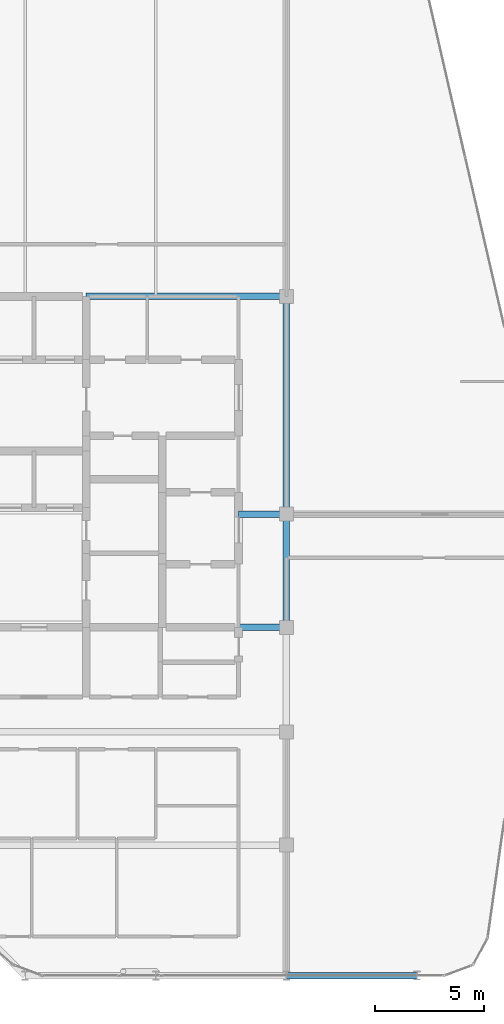
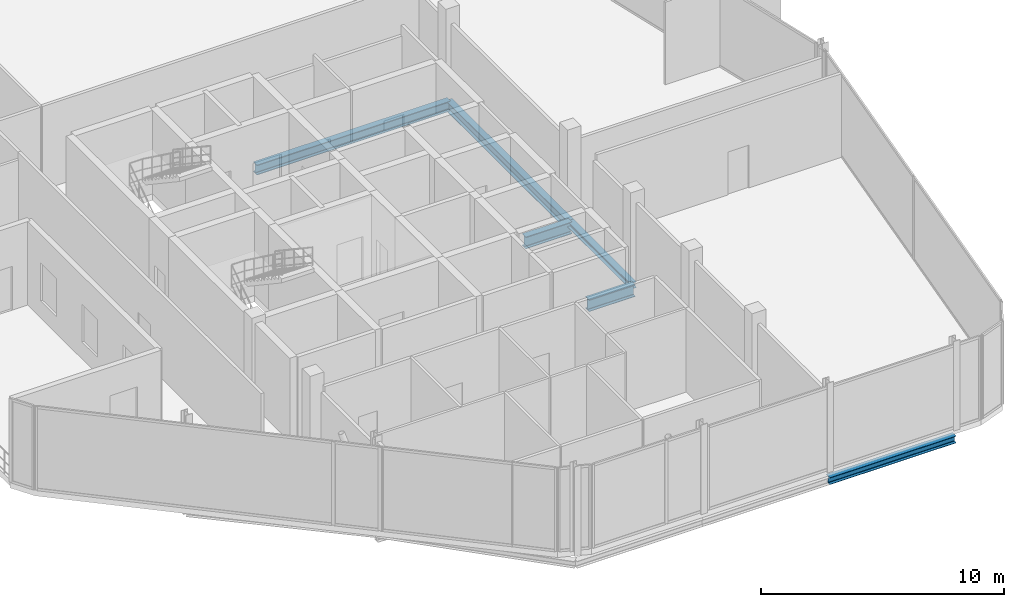
# One storey, part 10 of 24: 6 beams.
"""IFC4 building model written with IfcOpenShell, lengths in metres."""

from ifc_helpers import new_model, si_unit, direction, frame, origin, origin_2d, place, context, subcontext, project, spatial, i_section, extrude, material, material_profile, profile_set, type_object, element, save


model = new_model("IFC4")

# Units and contexts
model_context = context("Model", 3, precision=1e-05, world=origin(), true_north=direction((0.0, 1.0)))
body_context = subcontext(model_context, "Body", "Model", "MODEL_VIEW")
ifc_project = project(units=[si_unit("LENGTHUNIT", "METRE"), si_unit("AREAUNIT", "SQUARE_METRE"), si_unit("VOLUMEUNIT", "CUBIC_METRE"), si_unit("PLANEANGLEUNIT", "RADIAN"), si_unit("MASSUNIT", "GRAM", prefix="KILO")], contexts=[model_context])

# Site, building, storey
site_placement = place(None, origin())
site = spatial("IfcSite", under=ifc_project, at=site_placement, CompositionType="ELEMENT")
building_placement = place(site_placement, origin())
building = spatial("IfcBuilding", under=site, at=building_placement, Name="Keshet Zoharim Tower", CompositionType="ELEMENT")
storey_placement = place(building_placement, frame((0.0, 0.0, 299.10009765625)))
storey = spatial("IfcBuildingStorey", under=building, at=storey_placement, Name="L75", CompositionType="ELEMENT", Elevation=299.10009765625)

# Beams
ifc_material = material(Name="Steel S355", Category="steel")
ifc_material_profile_1 = material_profile(ifc_material, i_section(OverallWidth=0.300048828125, OverallDepth=0.60009765625, WebThickness=0.015380859375, FlangeThickness=0.030029296875, FilletRadius=0.027099609375, at=origin_2d()), Name="HEB600")
ifc_profile_set_1 = profile_set([ifc_material_profile_1], Name="Steel S355")
beam_type_1 = type_object("IfcBeamType", Name="BM-CLK-HB600", PredefinedType="BEAM", material=ifc_profile_set_1)
for number, where, z_axis, x_axis, name in (
    (1, (30.800048828125, 22.699951171875, -0.6201171875), (1.0, 0.0, 0.0), (0.0, 1.0, 0.0), "L75 Core Wall Link Girder 01"),
    (2, (30.800048828125, 27.89990234375, -0.6201171875), (1.0, 0.0, 0.0), (0.0, 1.0, 0.0), "L75 Core Wall Link Girder 02"),
):
    element("IfcBeam", number, at=place(storey_placement, frame(where, z_axis=z_axis, x_axis=x_axis)), inside=storey, type_object=beam_type_1, Name=name, PredefinedType="BEAM", context=body_context, shape_type="SweptSolid", body=[
        extrude(i_section(OverallWidth=0.300048828125, OverallDepth=0.60009765625, WebThickness=0.015380859375, FlangeThickness=0.030029296875, FilletRadius=0.027099609375, at=origin_2d()), origin(), (0.0, 0.0, 1.0), 2.199951171875),
    ])
ifc_material_profile_2 = material_profile(ifc_material, i_section(OverallWidth=0.300048828125, OverallDepth=0.5, WebThickness=0.014404296875, FlangeThickness=0.028076171875, FilletRadius=0.027099609375, at=origin_2d()), Name="HEB500")
ifc_profile_set_2 = profile_set([ifc_material_profile_2], Name="Steel S355")
beam_type_2 = type_object("IfcBeamType", Name="BM-MED-HB500", PredefinedType="BEAM", material=ifc_profile_set_2)
beam_1_placement = place(storey_placement, frame((23.800048828125, 37.89990234375, -0.570068359375), z_axis=(1.0, 0.0, 0.0), x_axis=(0.0, 1.0, 0.0)))
element("IfcBeam", 3, at=beam_1_placement, inside=storey, type_object=beam_type_2, Name="L75 Primary Girder X-009", PredefinedType="BEAM", context=body_context, shape_type="SweptSolid", body=[
    extrude(i_section(OverallWidth=0.300048828125, OverallDepth=0.5, WebThickness=0.014404296875, FlangeThickness=0.028076171875, FilletRadius=0.027099609375, at=origin_2d()), origin(), (0.0, 0.0, 1.0), 9.199951171875),
])
beam_2_placement = place(storey_placement, frame((33.0, 27.89990234375, -0.570068359375), z_axis=(0.0, 1.0, 0.0), x_axis=(-1.0, 0.0, 0.0)))
element("IfcBeam", 4, at=beam_2_placement, inside=storey, type_object=beam_type_2, Name="L75 Primary Girder Y-007", PredefinedType="BEAM", context=body_context, shape_type="SweptSolid", body=[
    extrude(i_section(OverallWidth=0.300048828125, OverallDepth=0.5, WebThickness=0.014404296875, FlangeThickness=0.028076171875, FilletRadius=0.027099609375, at=origin_2d()), origin(), (0.0, 0.0, 1.0), 10.0),
])
ifc_material_profile_3 = material_profile(ifc_material, i_section(OverallWidth=0.300048828125, OverallDepth=0.2900390625, WebThickness=0.008544921875, FlangeThickness=0.013916015625, FilletRadius=0.027099609375, at=origin_2d()), Name="HEA300")
ifc_profile_set_3 = profile_set([ifc_material_profile_3], Name="Steel S355")
beam_type_3 = type_object("IfcBeamType", Name="BM-PRI-HA300", PredefinedType="BEAM", material=ifc_profile_set_3)
beam_3_placement = place(storey_placement, frame((33.0, 22.699951171875, -0.465087890625), z_axis=(0.0, 1.0, 0.0), x_axis=(-1.0, 0.0, 0.0)))
element("IfcBeam", 5, at=beam_3_placement, inside=storey, type_object=beam_type_3, Name="L75 Primary Girder Y-006", PredefinedType="BEAM", context=body_context, shape_type="SweptSolid", body=[
    extrude(i_section(OverallWidth=0.300048828125, OverallDepth=0.2900390625, WebThickness=0.008544921875, FlangeThickness=0.013916015625, FilletRadius=0.027099609375, at=origin_2d()), origin(), (0.0, 0.0, 1.0), 5.199951171875),
])
ifc_material_profile_4 = material_profile(ifc_material, i_section(OverallWidth=0.300048828125, OverallDepth=0.35009765625, WebThickness=0.010009765625, FlangeThickness=0.017578125, FilletRadius=0.027099609375, at=origin_2d()), Name="HEA360")
ifc_profile_set_4 = profile_set([ifc_material_profile_4], Name="Steel S355")
beam_type_4 = type_object("IfcBeamType", Name="BM-PRI-HA360", PredefinedType="BEAM", material=ifc_profile_set_4)
beam_4_placement = place(storey_placement, frame((33.0, 6.699951171875, -0.4951171875), z_axis=(1.0, 0.0, 0.0), x_axis=(0.0, 1.0, 0.0)))
element("IfcBeam", 6, at=beam_4_placement, inside=storey, type_object=beam_type_4, Name="L75 Primary Girder X-003", PredefinedType="BEAM", context=body_context, shape_type="SweptSolid", body=[
    extrude(i_section(OverallWidth=0.300048828125, OverallDepth=0.35009765625, WebThickness=0.010009765625, FlangeThickness=0.017578125, FilletRadius=0.027099609375, at=origin_2d()), origin(), (0.0, 0.0, 1.0), 6.0),
])

save(model, "model.ifc")
